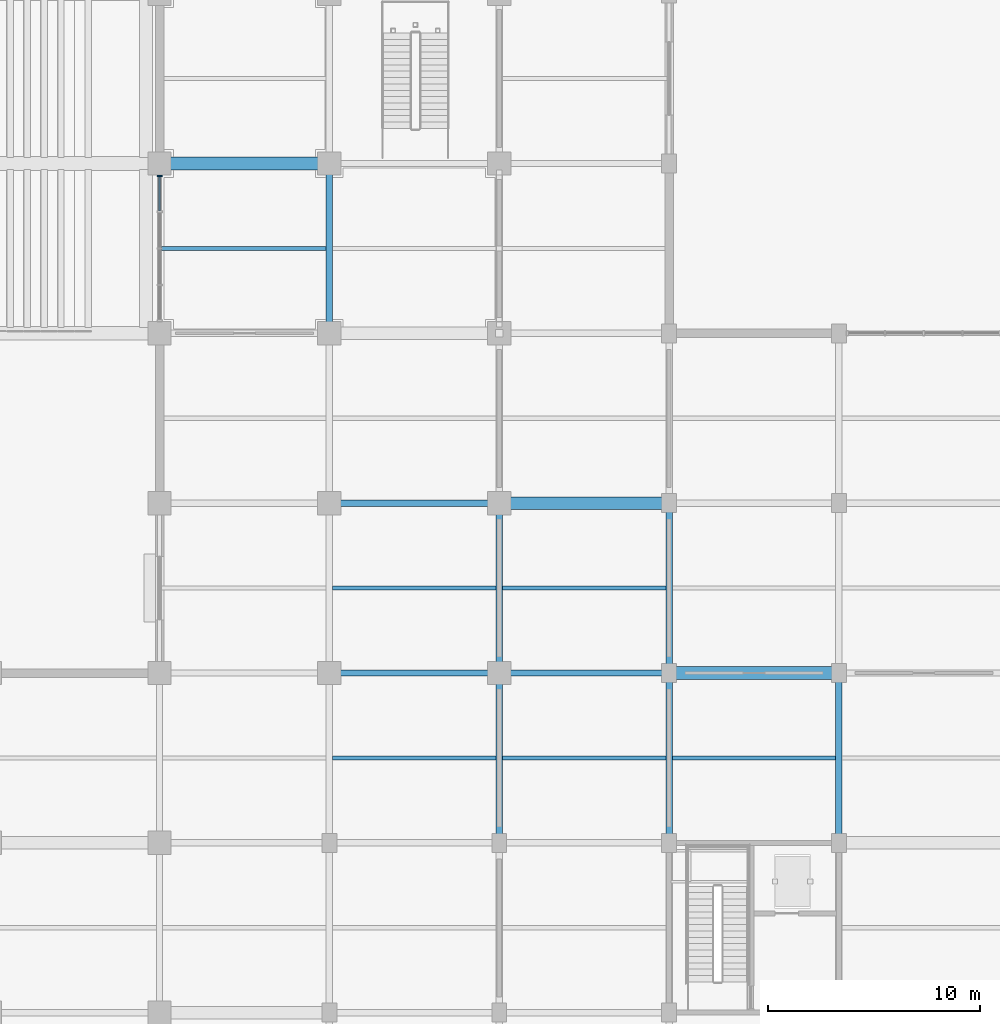
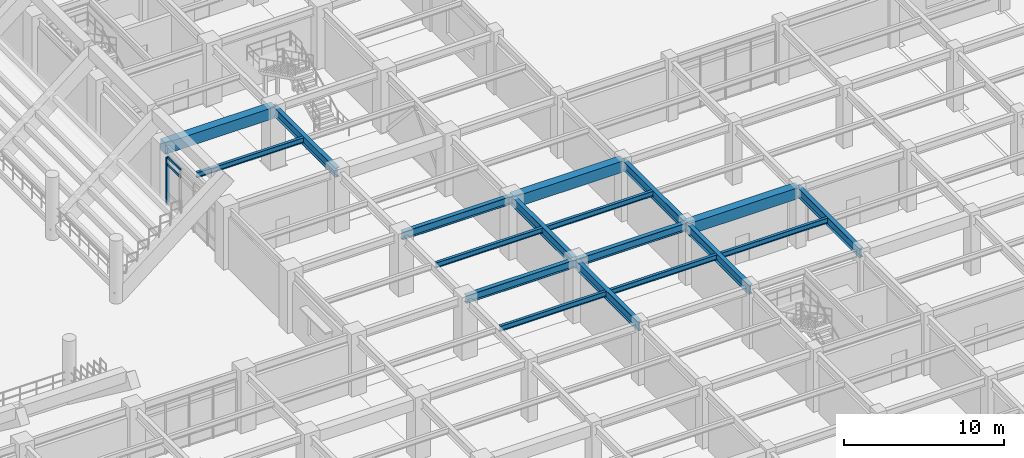
# One storey, part 32 of 125: 18 beams, 3 members, 1 element without a shape of its own.
"""IFC4 building model written with IfcOpenShell, lengths in metres."""

from ifc_helpers import new_model, si_unit, direction, frame, origin, origin_2d, place, context, subcontext, project, spatial, rectangle, i_section, extrude, material, layer, layer_set, material_profile, profile_set, type_object, element, aggregate, save


model = new_model("IFC4")

# Units and contexts
model_context = context("Model", 3, precision=1e-05, world=origin(), true_north=direction((0.0, 1.0)))
body_context = subcontext(model_context, "Body", "Model", "MODEL_VIEW")
ifc_project = project(units=[si_unit("LENGTHUNIT", "METRE"), si_unit("AREAUNIT", "SQUARE_METRE"), si_unit("VOLUMEUNIT", "CUBIC_METRE"), si_unit("PLANEANGLEUNIT", "RADIAN"), si_unit("MASSUNIT", "GRAM", prefix="KILO")], contexts=[model_context])

# Site, building, storey
site_placement = place(None, origin())
site = spatial("IfcSite", under=ifc_project, at=site_placement, CompositionType="ELEMENT")
building_placement = place(site_placement, origin())
building = spatial("IfcBuilding", under=site, at=building_placement, Name="Haebicheon Civic Stadium", CompositionType="ELEMENT")
storey_placement = place(building_placement, origin())
storey = spatial("IfcBuildingStorey", under=building, at=storey_placement, Name="L01", CompositionType="ELEMENT", Elevation=0.0)

# Beams
ifc_material_1 = material(Name="Steel SM355 (S355)", Category="steel")
ifc_material_profile_1 = material_profile(ifc_material_1, i_section(OverallWidth=0.300048828125, OverallDepth=0.60009765625, WebThickness=0.011962890625, FlangeThickness=0.02001953125, at=origin_2d()), Name="H-600x300x12x20")
ifc_profile_set_1 = profile_set([ifc_material_profile_1], Name="Steel SM355 (S355)")
beam_type_1 = type_object("IfcBeamType", Name="BM-ST-H600A", PredefinedType="BEAM", material=ifc_profile_set_1)
for number, where, z_axis, x_axis, name in (
    (1, (152.0, 32.0, 4.219970703125), (1.0, 0.0, 0.0), (0.0, 1.0, 0.0), "L01 beam E/20-21"),
    (2, (152.0, 40.0, 4.219970703125), (1.0, 0.0, 0.0), (0.0, 1.0, 0.0), "L01 beam F/20-21"),
    (3, (160.0, 32.0, 4.219970703125), (1.0, 0.0, 0.0), (0.0, 1.0, 0.0), "L01 beam E/21-22"),
):
    element("IfcBeam", number, at=place(storey_placement, frame(where, z_axis=z_axis, x_axis=x_axis)), inside=storey, type_object=beam_type_1, material=ifc_profile_set_1, Name=name, PredefinedType="BEAM", context=body_context, shape_type="SweptSolid", body=[
        extrude(i_section(OverallWidth=0.300048828125, OverallDepth=0.60009765625, WebThickness=0.011962890625, FlangeThickness=0.02001953125, at=origin_2d()), origin(), (0.0, 0.0, 1.0), 8.0),
    ])
ifc_material_2 = material(Name="Steel SM490", Category="steel")
ifc_material_profile_2 = material_profile(ifc_material_2, i_section(OverallWidth=0.300048828125, OverallDepth=0.699951171875, WebThickness=0.012939453125, FlangeThickness=0.02392578125, at=origin_2d()), Name="H-700x300x13x24")
ifc_profile_set_2 = profile_set([ifc_material_profile_2], Name="Steel SM490")
beam_type_2 = type_object("IfcBeamType", Name="BM-ST-H700", PredefinedType="BEAM", material=ifc_profile_set_2)
for number, where, z_axis, x_axis, name in (
    (4, (152.0, 48.0, 4.169921875), (0.0, 1.0, 0.0), (-1.0, 0.0, 0.0), "L01 girder 20/G-H"),
    (5, (160.0, 24.0, 4.169921875), (0.0, 1.0, 0.0), (-1.0, 0.0, 0.0), "L01 girder 21/D-E"),
    (6, (160.0, 32.0, 4.169921875), (0.0, 1.0, 0.0), (-1.0, 0.0, 0.0), "L01 girder 21/E-F"),
    (7, (168.0, 24.0, 4.169921875), (0.0, 1.0, 0.0), (-1.0, 0.0, 0.0), "L01 girder 22/D-E"),
    (8, (168.0, 32.0, 4.169921875), (0.0, 1.0, 0.0), (-1.0, 0.0, 0.0), "L01 girder 22/E-F"),
    (9, (176.0, 24.0, 4.169921875), (0.0, 1.0, 0.0), (-1.0, 0.0, 0.0), "L01 girder 23/D-E"),
):
    element("IfcBeam", number, at=place(storey_placement, frame(where, z_axis=z_axis, x_axis=x_axis)), inside=storey, type_object=beam_type_2, material=ifc_profile_set_2, Name=name, PredefinedType="BEAM", context=body_context, shape_type="SweptSolid", body=[
        extrude(i_section(OverallWidth=0.300048828125, OverallDepth=0.699951171875, WebThickness=0.012939453125, FlangeThickness=0.02392578125, at=origin_2d()), origin(), (0.0, 0.0, 1.0), 8.0),
    ])
ifc_material_3 = material(Name="Precast concrete C40/50", Category="concrete")
ifc_material_profile_3 = material_profile(ifc_material_3, rectangle(XDim=0.60009765625, YDim=0.85009765625, at=origin_2d()), Name="PC-TB-600x850")
ifc_profile_set_3 = profile_set([ifc_material_profile_3], Name="Precast concrete C40/50")
beam_type_3 = type_object("IfcBeamType", Name="BM-TB-600x850", PredefinedType="T_BEAM", material=ifc_profile_set_3)
for number, where, z_axis, x_axis, name in (
    (10, (144.0, 56.0, 4.094970703125), (1.0, 0.0, 0.0), (0.0, 1.0, 0.0), "L01 beam H/19-20"),
    (11, (160.0, 40.0, 4.094970703125), (1.0, 0.0, 0.0), (0.0, 1.0, 0.0), "L01 beam F/21-22"),
    (12, (168.0, 32.0, 4.094970703125), (1.0, 0.0, 0.0), (0.0, 1.0, 0.0), "L01 beam E/22-23"),
):
    element("IfcBeam", number, at=place(storey_placement, frame(where, z_axis=z_axis, x_axis=x_axis)), inside=storey, type_object=beam_type_3, material=ifc_profile_set_3, Name=name, PredefinedType="T_BEAM", context=body_context, shape_type="SweptSolid", body=[
        extrude(rectangle(XDim=0.60009765625, YDim=0.85009765625, at=origin_2d()), origin(), (0.0, 0.0, 1.0), 8.0),
    ])

# Curtain wall, members
ifc_material_4 = material(Name="Anodised aluminium and laminated glass", Category="aluminium")
ifc_layer = layer(ifc_material_4, 0.179931640625, Name="Anodised aluminium and laminated glass")
ifc_layer_set = layer_set([ifc_layer], Name="Anodised aluminium and laminated glass")
curtain_wall_type = type_object("IfcCurtainWallType", Name="CW-6900x3660", PredefinedType="NOTDEFINED", material=ifc_layer_set)
curtain_wall_placement = place(storey_placement, origin())
curtain_wall = element("IfcCurtainWall", 13, at=curtain_wall_placement, inside=storey, type_object=curtain_wall_type, material=ifc_layer_set, Name="L01 unitised curtain wall 013", PredefinedType="NOTDEFINED")
ifc_material_5 = material(Name="Anodised aluminium 6063-T6", Category="aluminium")
ifc_material_profile_4 = material_profile(ifc_material_5, rectangle(XDim=0.080078125, YDim=0.239990234375, at=origin_2d()), Name="ALU-MULL-80x240")
ifc_profile_set_4 = profile_set([ifc_material_profile_4], Name="Anodised aluminium 6063-T6")
member_type_1 = type_object("IfcMemberType", Name="CWM-240x80", PredefinedType="MULLION", material=ifc_profile_set_4)
member_1_placement = place(storey_placement, frame((144.0, 55.409912109375, 0.0), z_axis=(0.0, 0.0, 1.0), x_axis=(0.0, 1.0, 0.0)))
member_1 = element("IfcMember", 14, at=member_1_placement, type_object=member_type_1, material=ifc_profile_set_4, Name="CW-L01-013 vertical mullion 5", PredefinedType="MULLION", context=body_context, shape_type="SweptSolid", body=[
    extrude(rectangle(XDim=0.080078125, YDim=0.239990234375, at=origin_2d()), origin(), (0.0, 0.0, 1.0), 3.659912109375),
])
ifc_material_6 = material(Name="Anodised aluminium 6063-T6", Category="aluminium")
ifc_material_profile_5 = material_profile(ifc_material_6, rectangle(XDim=0.080078125, YDim=0.179931640625, at=origin_2d()), Name="ALU-TRAN-80x180")
ifc_profile_set_5 = profile_set([ifc_material_profile_5], Name="Anodised aluminium 6063-T6")
member_type_2 = type_object("IfcMemberType", Name="CWT-180x80", PredefinedType="NOTDEFINED", material=ifc_profile_set_5)
member_2_placement = place(storey_placement, frame((144.0, 53.764892578125, 3.110107421875), z_axis=(0.0, 1.0, 0.0), x_axis=(-1.0, 0.0, 0.0)))
member_2 = element("IfcMember", 15, at=member_2_placement, type_object=member_type_2, material=ifc_profile_set_5, Name="CW-L01-013 horizontal transom 4.3", ObjectType="TRANSOM", PredefinedType="USERDEFINED", context=body_context, shape_type="SweptSolid", body=[
    extrude(rectangle(XDim=0.080078125, YDim=0.179931640625, at=origin_2d()), origin(), (0.0, 0.0, 1.0), 1.605224609375),
])
member_3_placement = place(storey_placement, frame((144.0, 53.764892578125, 3.659912109375), z_axis=(0.0, 1.0, 0.0), x_axis=(-1.0, 0.0, 0.0)))
member_3 = element("IfcMember", 16, at=member_3_placement, type_object=member_type_2, material=ifc_profile_set_5, Name="CW-L01-013 horizontal transom 4.4", ObjectType="TRANSOM", PredefinedType="USERDEFINED", context=body_context, shape_type="SweptSolid", body=[
    extrude(rectangle(XDim=0.080078125, YDim=0.179931640625, at=origin_2d()), origin(), (0.0, 0.0, 1.0), 1.605224609375),
])
aggregate(curtain_wall, [member_1, member_2, member_3])

# Beams
ifc_material_7 = material(Name="Steel SM355 (S355)", Category="steel")
ifc_material_profile_6 = material_profile(ifc_material_7, i_section(OverallWidth=0.199951171875, OverallDepth=0.39990234375, WebThickness=0.008056640625, FlangeThickness=0.012939453125, at=origin_2d()), Name="H-400x200x8x13")
ifc_profile_set_6 = profile_set([ifc_material_profile_6], Name="Steel SM355 (S355)")
beam_type_4 = type_object("IfcBeamType", Name="JST-ST-H400", PredefinedType="JOIST", material=ifc_profile_set_6)
beam_placement = place(storey_placement, frame((144.10009765625, 52.0, 4.320068359375), z_axis=(1.0, 0.0, 0.0), x_axis=(0.0, 1.0, 0.0)))
element("IfcBeam", 17, at=beam_placement, inside=storey, type_object=beam_type_4, material=ifc_profile_set_6, Name="L01 secondary joist 18-06", PredefinedType="JOIST", context=body_context, shape_type="SweptSolid", body=[
    extrude(i_section(OverallWidth=0.199951171875, OverallDepth=0.39990234375, WebThickness=0.008056640625, FlangeThickness=0.012939453125, at=origin_2d()), origin(), (0.0, 0.0, 1.0), 7.75),
])
for number, where, z_axis, x_axis, name in (
    (18, (152.14990234375, 28.0, 4.320068359375), (1.0, 0.0, 0.0), (0.0, 1.0, 0.0), "L01 secondary joist 19-03"),
    (19, (152.14990234375, 36.0, 4.320068359375), (1.0, 0.0, 0.0), (0.0, 1.0, 0.0), "L01 secondary joist 19-04"),
    (20, (160.14990234375, 28.0, 4.320068359375), (1.0, 0.0, 0.0), (0.0, 1.0, 0.0), "L01 secondary joist 20-03"),
    (21, (160.14990234375, 36.0, 4.320068359375), (1.0, 0.0, 0.0), (0.0, 1.0, 0.0), "L01 secondary joist 20-04"),
    (22, (168.14990234375, 28.0, 4.320068359375), (1.0, 0.0, 0.0), (0.0, 1.0, 0.0), "L01 secondary joist 21-03"),
):
    element("IfcBeam", number, at=place(storey_placement, frame(where, z_axis=z_axis, x_axis=x_axis)), inside=storey, type_object=beam_type_4, material=ifc_profile_set_6, Name=name, PredefinedType="JOIST", context=body_context, shape_type="SweptSolid", body=[
        extrude(i_section(OverallWidth=0.199951171875, OverallDepth=0.39990234375, WebThickness=0.008056640625, FlangeThickness=0.012939453125, at=origin_2d()), origin(), (0.0, 0.0, 1.0), 7.7001953125),
    ])

save(model, "model.ifc")
